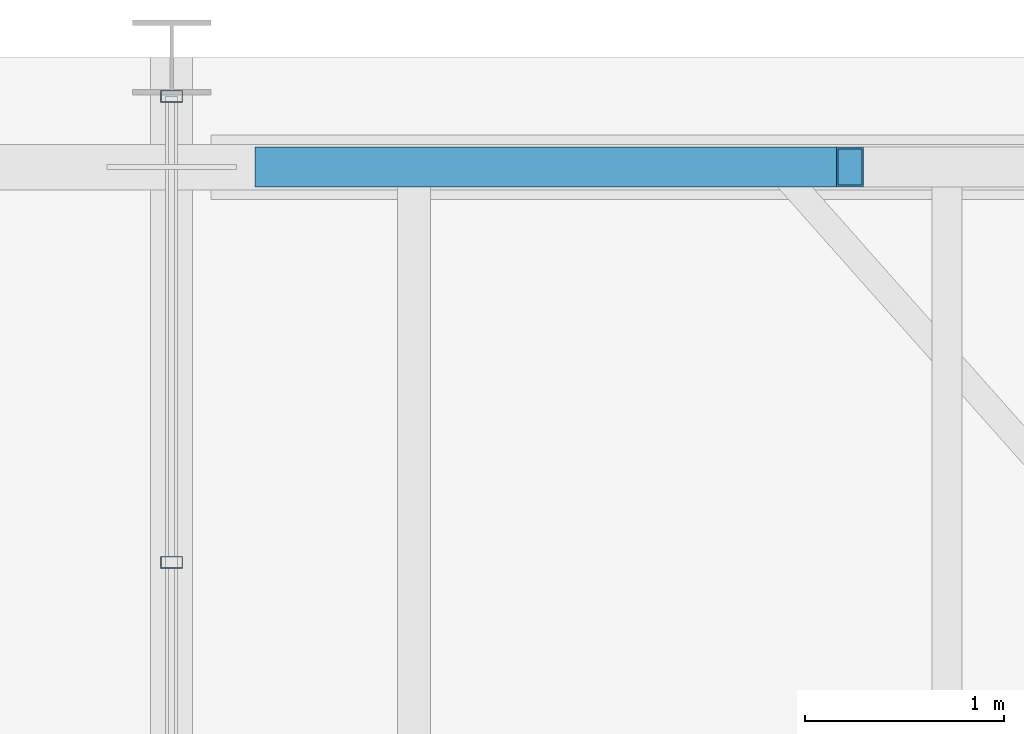
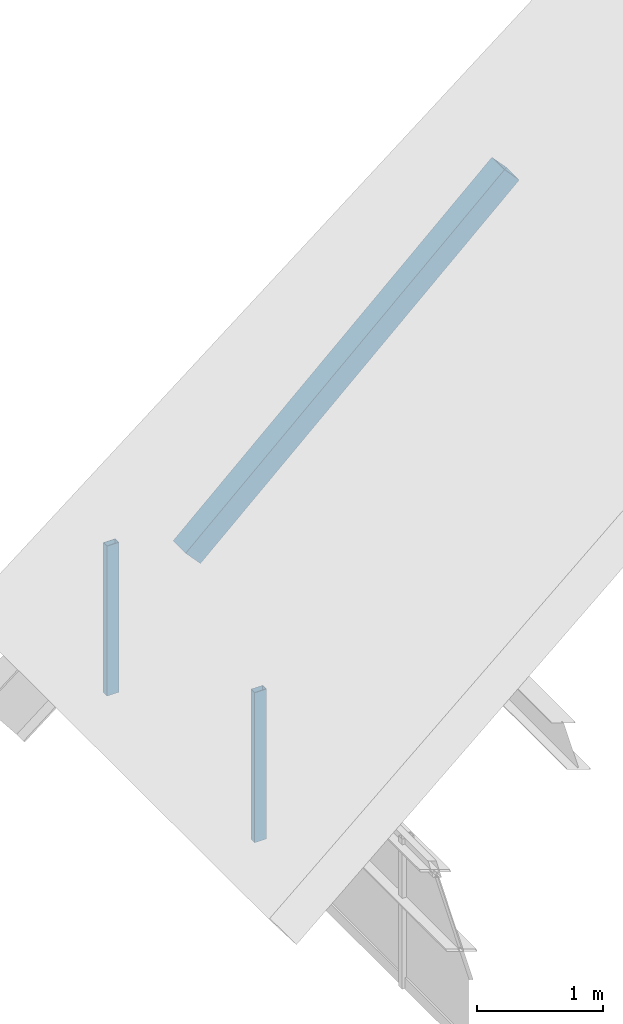
# One storey, part 36 of 44: 3 members, 1 element without a shape of its own.
"""IFC4 building model written with IfcOpenShell, lengths in metres."""

from ifc_helpers import new_model, si_unit, direction, frame, origin, origin_2d, place, context, subcontext, project, spatial, hollow_rectangle, extrude, material, material_profile, profile_set, type_object, element, aggregate, save


model = new_model("IFC4")

# Units and contexts
model_context = context("Model", 3, precision=1e-05, world=origin(), true_north=direction((0.0, 1.0)))
body_context = subcontext(model_context, "Body", "Model", "MODEL_VIEW")
ifc_project = project(units=[si_unit("LENGTHUNIT", "METRE"), si_unit("AREAUNIT", "SQUARE_METRE"), si_unit("VOLUMEUNIT", "CUBIC_METRE"), si_unit("PLANEANGLEUNIT", "RADIAN"), si_unit("MASSUNIT", "GRAM", prefix="KILO")], contexts=[model_context])

# Site, building, storey
site_placement = place(None, origin())
site = spatial("IfcSite", under=ifc_project, at=site_placement, CompositionType="ELEMENT")
building_placement = place(site_placement, origin())
building = spatial("IfcBuilding", under=site, at=building_placement, Name="Cimatlan Art Gallery", CompositionType="ELEMENT")
storey_placement = place(building_placement, frame((0.0, 0.0, 26.39990234375)))
storey = spatial("IfcBuildingStorey", under=building, at=storey_placement, Name="Roof", CompositionType="ELEMENT", Elevation=26.39990234375)

# Curtain wall, members
ifc_material_1 = material(Name="Anodised bronze unitised curtain wall")
curtain_wall_type = type_object("IfcCurtainWallType", Name="CW-V-07010X01450-B3", PredefinedType="NOTDEFINED", material=ifc_material_1)
curtain_wall_placement = place(storey_placement, origin())
curtain_wall = element("IfcCurtainWall", 1, at=curtain_wall_placement, inside=storey, type_object=curtain_wall_type, Name="CW-CRW-W-10", PredefinedType="NOTDEFINED")
ifc_material_2 = material(Name="Anodised bronze aluminium 6063-T6", Category="aluminium")
ifc_material_profile_1 = material_profile(ifc_material_2, hollow_rectangle(XDim=0.06005859375, YDim=0.110107421875, WallThickness=0.00341796875, at=origin_2d()), Name="ALU60X110X3")
ifc_profile_set_1 = profile_set([ifc_material_profile_1], Name="Anodised bronze aluminium 6063-T6")
member_type_1 = type_object("IfcMemberType", Name="CW-MUL-110", PredefinedType="MULLION", material=ifc_profile_set_1)
member_1_placement = place(storey_placement, frame((74.89990234375, 80.568359375, 0.0), z_axis=(0.0, 0.0, 1.0), x_axis=(0.0, 1.0, 0.0)))
member_1 = element("IfcMember", 2, at=member_1_placement, type_object=member_type_1, Name="CW-CRW-W-10-M3", PredefinedType="MULLION", context=body_context, shape_type="SweptSolid", body=[
    extrude(hollow_rectangle(XDim=0.06005859375, YDim=0.110107421875, WallThickness=0.00341796875, at=origin_2d()), origin(), (0.0, 0.0, 1.0), 1.4501953125),
])
member_2_placement = place(storey_placement, frame((74.89990234375, 82.905029296875, 0.0), z_axis=(0.0, 0.0, 1.0), x_axis=(0.0, 1.0, 0.0)))
member_2 = element("IfcMember", 3, at=member_2_placement, type_object=member_type_1, Name="CW-CRW-W-10-M4", PredefinedType="MULLION", context=body_context, shape_type="SweptSolid", body=[
    extrude(hollow_rectangle(XDim=0.06005859375, YDim=0.110107421875, WallThickness=0.00341796875, at=origin_2d()), origin(), (0.0, 0.0, 1.0), 1.4501953125),
])
aggregate(curtain_wall, [member_1, member_2])

# Member
ifc_material_3 = material(Name="Steel ASTM A500 Grade C", Category="steel")
ifc_material_profile_2 = material_profile(ifc_material_3, hollow_rectangle(XDim=0.199951171875, YDim=0.199951171875, WallThickness=0.010009765625, at=origin_2d()), Name="HSS200X200X10")
ifc_profile_set_2 = profile_set([ifc_material_profile_2], Name="Steel ASTM A500 Grade C")
member_type_2 = type_object("IfcMemberType", Name="MBR-TRS-DIAG-1", PredefinedType="BRACE", material=ifc_profile_set_2)
member_3_placement = place(storey_placement, frame((75.385986328125, 82.550048828125, 1.400146484375), z_axis=(0.735270574228, 0.0, 0.677773695768), x_axis=(0.0, 1.0, 0.0)))
element("IfcMember", 4, at=member_3_placement, inside=storey, type_object=member_type_2, Name="TRS-09-DW-1", PredefinedType="BRACE", context=body_context, shape_type="SweptSolid", body=[
    extrude(hollow_rectangle(XDim=0.199951171875, YDim=0.199951171875, WallThickness=0.010009765625, at=origin_2d()), origin(), (0.0, 0.0, 1.0), 3.9658203125),
])

save(model, "model.ifc")
